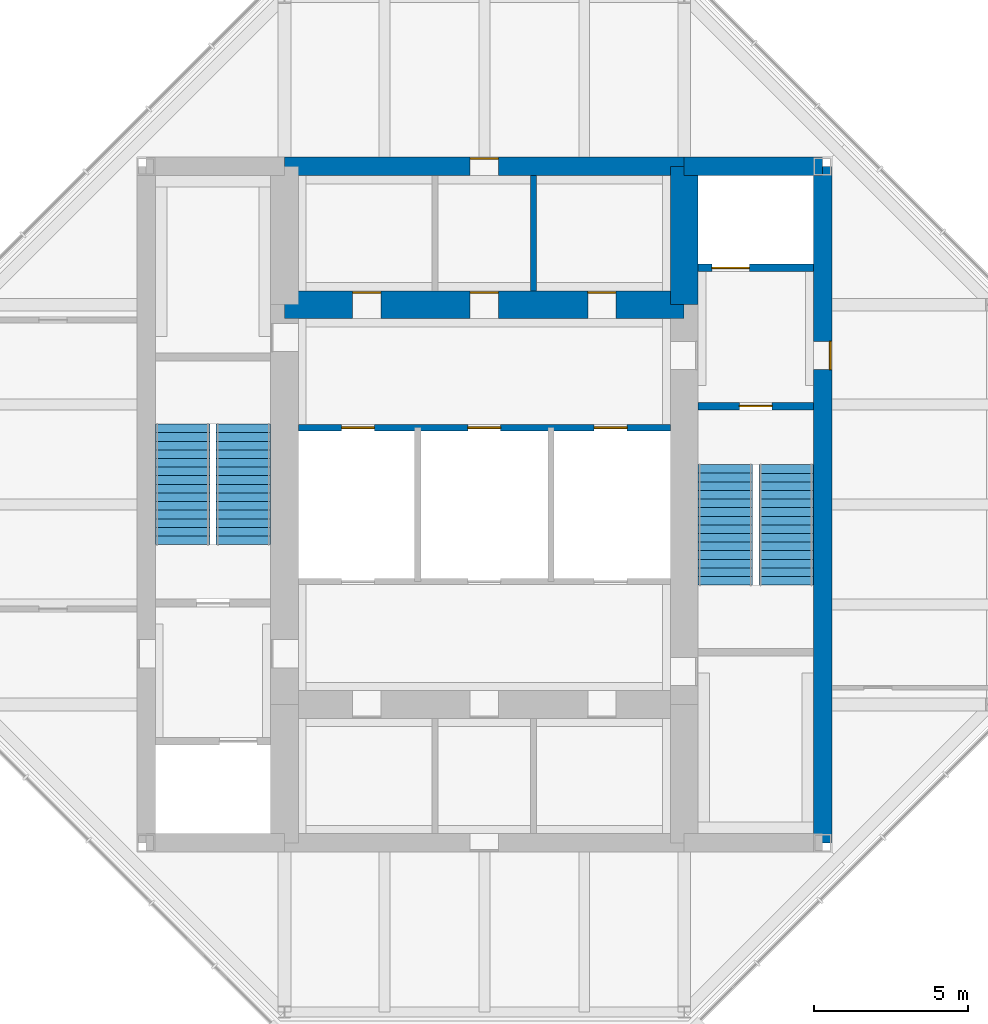
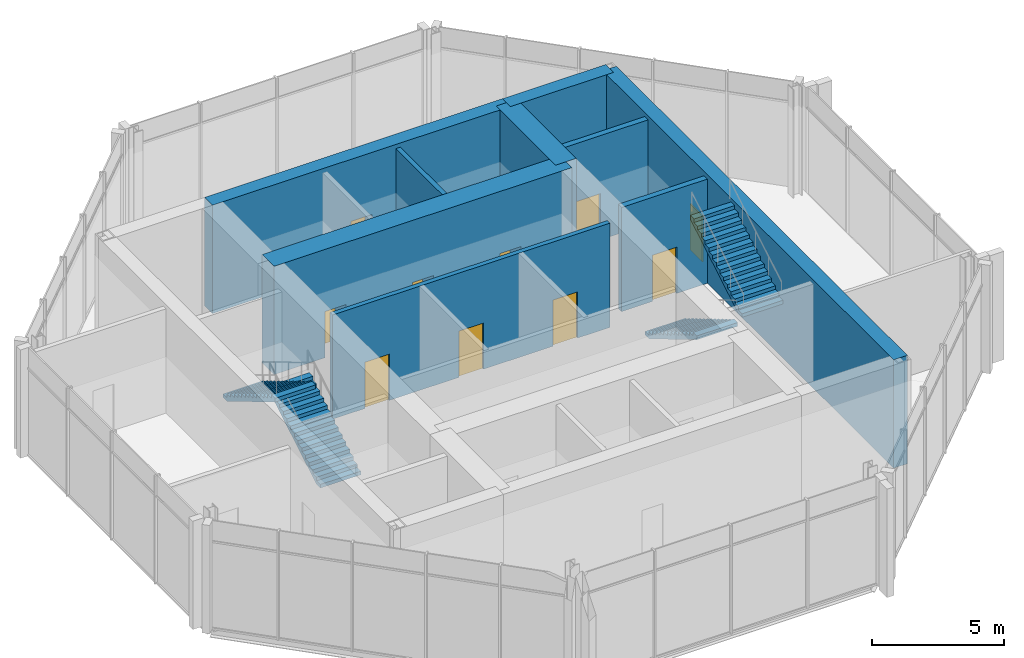
# One storey, part 6 of 7: 10 doors, 9 walls, 4 stair flights, 10 openings, 2 elements without a shape of their own.
"""IFC4 building model written with IfcOpenShell, lengths in metres."""

from ifc_helpers import new_model, si_unit, direction, frame, frame_2d, origin, place, context, subcontext, project, spatial, polyline, rectangle, outline, extrude, material, layer, layer_set, type_object, element, fill, aggregate, save


model = new_model("IFC4")

# Units and contexts
model_context = context("Model", 3, precision=1e-05, world=origin(), true_north=direction((0.0, 1.0)))
body_context = subcontext(model_context, "Body", "Model", "MODEL_VIEW")
ifc_project = project(units=[si_unit("LENGTHUNIT", "METRE"), si_unit("AREAUNIT", "SQUARE_METRE"), si_unit("VOLUMEUNIT", "CUBIC_METRE"), si_unit("PLANEANGLEUNIT", "RADIAN"), si_unit("MASSUNIT", "GRAM", prefix="KILO")], contexts=[model_context])

# Site, building, storey
site_placement = place(None, origin())
site = spatial("IfcSite", under=ifc_project, at=site_placement, CompositionType="ELEMENT")
building_placement = place(site_placement, origin())
building = spatial("IfcBuilding", under=site, at=building_placement, Name="Trevanion Tower", CompositionType="ELEMENT")
storey_placement = place(building_placement, frame((0.0, 0.0, 299.199951171875)))
storey = spatial("IfcBuildingStorey", under=building, at=storey_placement, Name="L74", CompositionType="ELEMENT", Elevation=299.199951171875)

# Wall, opening, door
ifc_material_1 = material(Name="Concrete 10,000 psi", Category="concrete")
ifc_layer_1 = layer(ifc_material_1, 0.60009765625)
ifc_layer_set_1 = layer_set([ifc_layer_1], Name="CW1 core wall 600")
wall_type_1 = type_object("IfcWallType", Name="CW1 core wall 600", PredefinedType="SHEAR", material=ifc_layer_set_1)
wall_1_placement = place(storey_placement, frame((11.0, -11.0, 0.0), z_axis=(0.0, 0.0, 1.0), x_axis=(0.0, 1.0, 0.0)))
wall_1 = element("IfcWall", 1, at=wall_1_placement, inside=storey, type_object=wall_type_1, Name="CW1 CE L74", PredefinedType="SHEAR", context=body_context, shape_type="SweptSolid", body=[
    extrude(rectangle(XDim=22.0, YDim=0.60009765625, at=frame_2d((11.0, 0.0))), origin(), (0.0, 0.0, 1.0), 5.0),
])
opening_1_placement = place(wall_1_placement, frame((15.392578125, 0.0, 0.0)))
opening_1 = element("IfcOpeningElement", 2, at=opening_1_placement, cuts=wall_1, Name="Opening 74-001", PredefinedType="OPENING", context=body_context, shape_type="SweptSolid", body=[
    extrude(rectangle(XDim=0.9150390625, YDim=2.134033203125, at=frame_2d((0.45751953125, 1.06689453125))), frame((0.0, 0.31005859375, 0.0), z_axis=(0.0, -1.0, 0.0), x_axis=(1.0, 0.0, 0.0)), (0.0, 0.0, 1.0), 0.6201171875),
])
ifc_material_2 = material(Name="Hollow metal, fire rated", Category="steel")
door_type_1 = type_object("IfcDoorType", Name="D3 fire lift lobby door", OperationType="SINGLE_SWING_RIGHT", PredefinedType="DOOR", material=ifc_material_2)
door_1_placement = place(opening_1_placement, origin())
door_1 = element("IfcDoor", 3, at=door_1_placement, inside=storey, type_object=door_type_1, Name="Door 74-001", OperationType="SINGLE_SWING_RIGHT", OverallHeight=2.134033203125, OverallWidth=0.9150390625, PredefinedType="DOOR", context=body_context, shape_type="SweptSolid", body=[
    extrude(rectangle(XDim=0.9150390625, YDim=2.134033203125, at=frame_2d((0.45751953125, 1.06689453125))), frame((0.0, -0.22509765625, 0.0), z_axis=(0.0, -1.0, 0.0), x_axis=(1.0, 0.0, 0.0)), (0.0, 0.0, 1.0), 0.050048828125),
])
fill(opening_1, door_1)

# Wall
wall_2_placement = place(storey_placement, frame((11.0, 11.0, 0.0), z_axis=(0.0, 0.0, 1.0), x_axis=(-1.0, 0.0, 0.0)))
element("IfcWall", 4, at=wall_2_placement, inside=storey, type_object=wall_type_1, Name="CW1 CN1 L74", PredefinedType="SHEAR", context=body_context, shape_type="SweptSolid", body=[
    extrude(rectangle(XDim=4.5, YDim=0.60009765625, at=frame_2d((2.25, 0.0))), origin(), (0.0, 0.0, 1.0), 5.0),
])

# Wall, opening, door
wall_3_placement = place(storey_placement, frame((6.5, 11.0, 0.0), z_axis=(0.0, 0.0, 1.0), x_axis=(-1.0, 0.0, 0.0)))
wall_3 = element("IfcWall", 5, at=wall_3_placement, inside=storey, type_object=wall_type_1, Name="CW1 CN2 L74", PredefinedType="SHEAR", context=body_context, shape_type="SweptSolid", body=[
    extrude(rectangle(XDim=13.0, YDim=0.60009765625, at=frame_2d((6.5, 0.0))), origin(), (0.0, 0.0, 1.0), 5.0),
])
opening_2_placement = place(wall_3_placement, frame((6.04248046875, 0.0, 0.0)))
opening_2 = element("IfcOpeningElement", 6, at=opening_2_placement, cuts=wall_3, Name="Opening 74-018", PredefinedType="OPENING", context=body_context, shape_type="SweptSolid", body=[
    extrude(rectangle(XDim=0.9150390625, YDim=2.134033203125, at=frame_2d((0.45751953125, 1.06689453125))), frame((0.0, 0.31005859375, 0.0), z_axis=(0.0, -1.0, 0.0), x_axis=(1.0, 0.0, 0.0)), (0.0, 0.0, 1.0), 0.6201171875),
])
door_2_placement = place(opening_2_placement, origin())
door_2 = element("IfcDoor", 7, at=door_2_placement, inside=storey, type_object=door_type_1, Name="Door 74-018", OperationType="SINGLE_SWING_RIGHT", OverallHeight=2.134033203125, OverallWidth=0.9150390625, PredefinedType="DOOR", context=body_context, shape_type="SweptSolid", body=[
    extrude(rectangle(XDim=0.9150390625, YDim=2.134033203125, at=frame_2d((0.45751953125, 1.06689453125))), frame((0.0, -0.22509765625, 0.0), z_axis=(0.0, -1.0, 0.0), x_axis=(1.0, 0.0, 0.0)), (0.0, 0.0, 1.0), 0.050048828125),
])
fill(opening_2, door_2)

# Wall
ifc_material_3 = material(Name="Concrete 10,000 psi", Category="concrete")
ifc_layer_2 = layer(ifc_material_3, 0.89990234375)
ifc_layer_set_2 = layer_set([ifc_layer_2], Name="CW2 core wall 900")
wall_type_2 = type_object("IfcWallType", Name="CW2 core wall 900", PredefinedType="SHEAR", material=ifc_layer_set_2)
wall_4_placement = place(storey_placement, frame((6.5, 6.5, 0.0), z_axis=(0.0, 0.0, 1.0), x_axis=(0.0, 1.0, 0.0)))
element("IfcWall", 8, at=wall_4_placement, inside=storey, type_object=wall_type_2, Name="CW2 RE3 L74", PredefinedType="SHEAR", context=body_context, shape_type="SweptSolid", body=[
    extrude(rectangle(XDim=4.5, YDim=0.89990234375, at=frame_2d((2.25, 0.0))), origin(), (0.0, 0.0, 1.0), 5.0),
])

# Wall, openings, doors
wall_5_placement = place(storey_placement, frame((6.5, 6.5, 0.0), z_axis=(0.0, 0.0, 1.0), x_axis=(-1.0, 0.0, 0.0)))
wall_5 = element("IfcWall", 9, at=wall_5_placement, inside=storey, type_object=wall_type_2, Name="CW2 RN L74", PredefinedType="SHEAR", context=body_context, shape_type="SweptSolid", body=[
    extrude(rectangle(XDim=13.0, YDim=0.89990234375, at=frame_2d((6.5, 0.0))), origin(), (0.0, 0.0, 1.0), 5.0),
])
opening_3_placement = place(wall_5_placement, frame((6.04248046875, 0.0, 0.0)))
opening_3 = element("IfcOpeningElement", 10, at=opening_3_placement, cuts=wall_5, Name="Opening 74-017", PredefinedType="OPENING", context=body_context, shape_type="SweptSolid", body=[
    extrude(rectangle(XDim=0.9150390625, YDim=2.134033203125, at=frame_2d((0.45751953125, 1.06689453125))), frame((0.0, 0.4599609375, 0.0), z_axis=(0.0, -1.0, 0.0), x_axis=(1.0, 0.0, 0.0)), (0.0, 0.0, 1.0), 0.919921875),
])
opening_4_placement = place(wall_5_placement, frame((9.867431640625, 0.0, 0.0)))
opening_4 = element("IfcOpeningElement", 11, at=opening_4_placement, cuts=wall_5, Name="Opening 74-019", PredefinedType="OPENING", context=body_context, shape_type="SweptSolid", body=[
    extrude(rectangle(XDim=0.9150390625, YDim=2.134033203125, at=frame_2d((0.45751953125, 1.06689453125))), frame((0.0, 0.4599609375, 0.0), z_axis=(0.0, -1.0, 0.0), x_axis=(1.0, 0.0, 0.0)), (0.0, 0.0, 1.0), 0.919921875),
])
opening_5_placement = place(wall_5_placement, frame((2.217529296875, 0.0, 0.0)))
opening_5 = element("IfcOpeningElement", 12, at=opening_5_placement, cuts=wall_5, Name="Opening 74-020", PredefinedType="OPENING", context=body_context, shape_type="SweptSolid", body=[
    extrude(rectangle(XDim=0.9150390625, YDim=2.134033203125, at=frame_2d((0.45751953125, 1.06689453125))), frame((0.0, 0.4599609375, 0.0), z_axis=(0.0, -1.0, 0.0), x_axis=(1.0, 0.0, 0.0)), (0.0, 0.0, 1.0), 0.919921875),
])
ifc_material_4 = material(Name="Hollow metal, fire rated", Category="steel")
door_type_2 = type_object("IfcDoorType", Name="D11 toilet door in a two hour wall", OperationType="SINGLE_SWING_LEFT", PredefinedType="DOOR", material=ifc_material_4)
door_3_placement = place(opening_4_placement, origin())
door_3 = element("IfcDoor", 13, at=door_3_placement, inside=storey, type_object=door_type_2, Name="Door 74-019", OperationType="SINGLE_SWING_LEFT", OverallHeight=2.134033203125, OverallWidth=0.9150390625, PredefinedType="DOOR", context=body_context, shape_type="SweptSolid", body=[
    extrude(rectangle(XDim=0.9150390625, YDim=2.134033203125, at=frame_2d((0.45751953125, 1.06689453125))), frame((0.0, -0.375, 0.0), z_axis=(0.0, -1.0, 0.0), x_axis=(1.0, 0.0, 0.0)), (0.0, 0.0, 1.0), 0.050048828125),
])
fill(opening_4, door_3)
door_4_placement = place(opening_5_placement, origin())
door_4 = element("IfcDoor", 14, at=door_4_placement, inside=storey, type_object=door_type_2, Name="Door 74-020", OperationType="SINGLE_SWING_LEFT", OverallHeight=2.134033203125, OverallWidth=0.9150390625, PredefinedType="DOOR", context=body_context, shape_type="SweptSolid", body=[
    extrude(rectangle(XDim=0.9150390625, YDim=2.134033203125, at=frame_2d((0.45751953125, 1.06689453125))), frame((0.0, -0.375, 0.0), z_axis=(0.0, -1.0, 0.0), x_axis=(1.0, 0.0, 0.0)), (0.0, 0.0, 1.0), 0.050048828125),
])
fill(opening_5, door_4)
door_5_placement = place(opening_3_placement, origin())
door_5 = element("IfcDoor", 15, at=door_5_placement, inside=storey, type_object=door_type_1, Name="Door 74-017", OperationType="SINGLE_SWING_RIGHT", OverallHeight=2.134033203125, OverallWidth=0.9150390625, PredefinedType="DOOR", context=body_context, shape_type="SweptSolid", body=[
    extrude(rectangle(XDim=0.9150390625, YDim=2.134033203125, at=frame_2d((0.45751953125, 1.06689453125))), frame((0.0, -0.375, 0.0), z_axis=(0.0, -1.0, 0.0), x_axis=(1.0, 0.0, 0.0)), (0.0, 0.0, 1.0), 0.050048828125),
])
fill(opening_3, door_5)

ifc_material_5 = material(Name="Concrete masonry, grouted", Category="masonry")
ifc_layer_3 = layer(ifc_material_5, 0.199951171875)
ifc_layer_set_3 = layer_set([ifc_layer_3], Name="PT2 partition 200 1 HR")
wall_type_3 = type_object("IfcWallType", Name="PT2 partition 200 1 HR", PredefinedType="PARTITIONING", material=ifc_layer_set_3)
wall_6_placement = place(storey_placement, frame((-6.050048828125, 2.5, 0.0), z_axis=(0.0, 0.0, 1.0), x_axis=(1.0, 0.0, 0.0)))
wall_6 = element("IfcWall", 16, at=wall_6_placement, inside=storey, type_object=wall_type_3, Name="PT2 L74 CP1", PredefinedType="PARTITIONING", context=body_context, shape_type="SweptSolid", body=[
    extrude(rectangle(XDim=12.10009765625, YDim=0.199951171875, at=frame_2d((6.050048828125, 0.0))), origin(), (0.0, 0.0, 1.0), 4.81005859375),
])
opening_6_placement = place(wall_6_placement, frame((1.408203125, 0.0, 0.0)))
opening_6 = element("IfcOpeningElement", 17, at=opening_6_placement, cuts=wall_6, Name="Opening 74-011", PredefinedType="OPENING", context=body_context, shape_type="SweptSolid", body=[
    extrude(rectangle(XDim=1.06689453125, YDim=2.134033203125, at=frame_2d((0.533447265625, 1.06689453125))), frame((0.0, 0.10986328125, 0.0), z_axis=(0.0, -1.0, 0.0), x_axis=(1.0, 0.0, 0.0)), (0.0, 0.0, 1.0), 0.219970703125),
])
opening_7_placement = place(wall_6_placement, frame((5.5166015625, 0.0, 0.0)))
opening_7 = element("IfcOpeningElement", 18, at=opening_7_placement, cuts=wall_6, Name="Opening 74-013", PredefinedType="OPENING", context=body_context, shape_type="SweptSolid", body=[
    extrude(rectangle(XDim=1.06689453125, YDim=2.134033203125, at=frame_2d((0.533447265625, 1.06689453125))), frame((0.0, 0.10986328125, 0.0), z_axis=(0.0, -1.0, 0.0), x_axis=(1.0, 0.0, 0.0)), (0.0, 0.0, 1.0), 0.219970703125),
])
opening_8_placement = place(wall_6_placement, frame((9.624755859375, 0.0, 0.0)))
opening_8 = element("IfcOpeningElement", 19, at=opening_8_placement, cuts=wall_6, Name="Opening 74-015", PredefinedType="OPENING", context=body_context, shape_type="SweptSolid", body=[
    extrude(rectangle(XDim=1.06689453125, YDim=2.134033203125, at=frame_2d((0.533447265625, 1.06689453125))), frame((0.0, 0.10986328125, 0.0), z_axis=(0.0, -1.0, 0.0), x_axis=(1.0, 0.0, 0.0)), (0.0, 0.0, 1.0), 0.219970703125),
])
ifc_material_6 = material(Name="Stainless steel, fire rated", Category="steel")
door_type_3 = type_object("IfcDoorType", Name="LD1 lift landing door", OperationType="SLIDING_TO_LEFT", PredefinedType="DOOR", material=ifc_material_6)
door_6_placement = place(opening_6_placement, origin())
door_6 = element("IfcDoor", 20, at=door_6_placement, inside=storey, type_object=door_type_3, Name="Door 74-011", OperationType="SLIDING_TO_LEFT", OverallHeight=2.134033203125, OverallWidth=1.06689453125, PredefinedType="DOOR", context=body_context, shape_type="SweptSolid", body=[
    extrude(rectangle(XDim=1.06689453125, YDim=2.134033203125, at=frame_2d((0.533447265625, 1.06689453125))), frame((0.0, 0.02490234375, 0.0), z_axis=(0.0, -1.0, 0.0), x_axis=(1.0, 0.0, 0.0)), (0.0, 0.0, 1.0), 0.050048828125),
])
fill(opening_6, door_6)
door_7_placement = place(opening_7_placement, origin())
door_7 = element("IfcDoor", 21, at=door_7_placement, inside=storey, type_object=door_type_3, Name="Door 74-013", OperationType="SLIDING_TO_LEFT", OverallHeight=2.134033203125, OverallWidth=1.06689453125, PredefinedType="DOOR", context=body_context, shape_type="SweptSolid", body=[
    extrude(rectangle(XDim=1.06689453125, YDim=2.134033203125, at=frame_2d((0.533447265625, 1.06689453125))), frame((0.0, 0.02490234375, 0.0), z_axis=(0.0, -1.0, 0.0), x_axis=(1.0, 0.0, 0.0)), (0.0, 0.0, 1.0), 0.050048828125),
])
fill(opening_7, door_7)
door_8_placement = place(opening_8_placement, origin())
door_8 = element("IfcDoor", 22, at=door_8_placement, inside=storey, type_object=door_type_3, Name="Door 74-015", OperationType="SLIDING_TO_LEFT", OverallHeight=2.134033203125, OverallWidth=1.06689453125, PredefinedType="DOOR", context=body_context, shape_type="SweptSolid", body=[
    extrude(rectangle(XDim=1.06689453125, YDim=2.134033203125, at=frame_2d((0.533447265625, 1.06689453125))), frame((0.0, 0.02490234375, 0.0), z_axis=(0.0, -1.0, 0.0), x_axis=(1.0, 0.0, 0.0)), (0.0, 0.0, 1.0), 0.050048828125),
])
fill(opening_8, door_8)

# Wall
wall_7_placement = place(storey_placement, frame((1.60009765625, 6.949951171875, 0.0), z_axis=(0.0, 0.0, 1.0), x_axis=(0.0, 1.0, 0.0)))
element("IfcWall", 23, at=wall_7_placement, inside=storey, type_object=wall_type_3, Name="PT2 L74 CNP2", PredefinedType="PARTITIONING", context=body_context, shape_type="SweptSolid", body=[
    extrude(rectangle(XDim=3.75, YDim=0.199951171875, at=frame_2d((1.875, 0.0))), origin(), (0.0, 0.0, 1.0), 4.81005859375),
])

# Wall, opening, door
ifc_material_7 = material(Name="Concrete masonry, grouted, two-hour", Category="masonry")
ifc_layer_4 = layer(ifc_material_7, 0.25)
ifc_layer_set_4 = layer_set([ifc_layer_4], Name="PT3 partition 250 2 HR")
wall_type_4 = type_object("IfcWallType", Name="PT3 partition 250 2 HR", PredefinedType="PARTITIONING", material=ifc_layer_set_4)
wall_8_placement = place(storey_placement, frame((6.949951171875, 7.699951171875, 0.0), z_axis=(0.0, 0.0, 1.0), x_axis=(1.0, 0.0, 0.0)))
wall_8 = element("IfcWall", 24, at=wall_8_placement, inside=storey, type_object=wall_type_4, Name="PT3 L74 EP3", PredefinedType="PARTITIONING", context=body_context, shape_type="SweptSolid", body=[
    extrude(rectangle(XDim=3.75, YDim=0.25, at=frame_2d((1.875, 0.0))), origin(), (0.0, 0.0, 1.0), 4.81005859375),
])
opening_9_placement = place(wall_8_placement, frame((0.449951171875, 0.0, 0.0)))
opening_9 = element("IfcOpeningElement", 25, at=opening_9_placement, cuts=wall_8, Name="Opening 74-007", PredefinedType="OPENING", context=body_context, shape_type="SweptSolid", body=[
    extrude(rectangle(XDim=1.218994140625, YDim=2.134033203125, at=frame_2d((0.609375, 1.06689453125))), frame((0.0, 0.135009765625, 0.0), z_axis=(0.0, -1.0, 0.0), x_axis=(1.0, 0.0, 0.0)), (0.0, 0.0, 1.0), 0.27001953125),
])
ifc_material_8 = material(Name="Stainless steel, fire rated", Category="steel")
door_type_4 = type_object("IfcDoorType", Name="LD2 fire service lift landing door", OperationType="SLIDING_TO_LEFT", PredefinedType="DOOR", material=ifc_material_8)
door_9_placement = place(opening_9_placement, origin())
door_9 = element("IfcDoor", 26, at=door_9_placement, inside=storey, type_object=door_type_4, Name="Door 74-007", OperationType="SLIDING_TO_LEFT", OverallHeight=2.134033203125, OverallWidth=1.218994140625, PredefinedType="DOOR", context=body_context, shape_type="SweptSolid", body=[
    extrude(rectangle(XDim=1.218994140625, YDim=2.134033203125, at=frame_2d((0.609375, 1.06689453125))), frame((0.0, 0.02490234375, 0.0), z_axis=(0.0, -1.0, 0.0), x_axis=(1.0, 0.0, 0.0)), (0.0, 0.0, 1.0), 0.050048828125),
])
fill(opening_9, door_9)

ifc_material_9 = material(Name="Reinforced masonry, fully grouted", Category="masonry")
ifc_layer_5 = layer(ifc_material_9, 0.25)
ifc_layer_set_5 = layer_set([ifc_layer_5], Name="SW1 stair shaft wall 250")
wall_type_5 = type_object("IfcWallType", Name="SW1 stair shaft wall 250", PredefinedType="SOLIDWALL", material=ifc_layer_set_5)
wall_9_placement = place(storey_placement, frame((6.949951171875, 3.199951171875, 0.0), z_axis=(0.0, 0.0, 1.0), x_axis=(1.0, 0.0, 0.0)))
wall_9 = element("IfcWall", 27, at=wall_9_placement, inside=storey, type_object=wall_type_5, Name="SW1 L74 EP2", PredefinedType="SOLIDWALL", context=body_context, shape_type="SweptSolid", body=[
    extrude(rectangle(XDim=3.75, YDim=0.25, at=frame_2d((1.875, 0.0))), origin(), (0.0, 0.0, 1.0), 4.81005859375),
])
opening_10_placement = place(wall_9_placement, frame((1.341552734375, 0.0, 0.0)))
opening_10 = element("IfcOpeningElement", 28, at=opening_10_placement, cuts=wall_9, Name="Opening 74-005", PredefinedType="OPENING", context=body_context, shape_type="SweptSolid", body=[
    extrude(rectangle(XDim=1.06689453125, YDim=2.134033203125, at=frame_2d((0.533447265625, 1.06689453125))), frame((0.0, 0.135009765625, 0.0), z_axis=(0.0, -1.0, 0.0), x_axis=(1.0, 0.0, 0.0)), (0.0, 0.0, 1.0), 0.27001953125),
])
ifc_material_10 = material(Name="Hollow metal, fire rated", Category="steel")
door_type_5 = type_object("IfcDoorType", Name="D2 exit stair door", OperationType="SINGLE_SWING_LEFT", PredefinedType="DOOR", material=ifc_material_10)
door_10_placement = place(opening_10_placement, origin())
door_10 = element("IfcDoor", 29, at=door_10_placement, inside=storey, type_object=door_type_5, Name="Door 74-005", OperationType="SINGLE_SWING_LEFT", OverallHeight=2.134033203125, OverallWidth=1.06689453125, PredefinedType="DOOR", context=body_context, shape_type="SweptSolid", body=[
    extrude(rectangle(XDim=1.06689453125, YDim=2.134033203125, at=frame_2d((0.533447265625, 1.06689453125))), frame((0.0, 0.02490234375, 0.0), z_axis=(0.0, -1.0, 0.0), x_axis=(1.0, 0.0, 0.0)), (0.0, 0.0, 1.0), 0.050048828125),
])
fill(opening_10, door_10)

# Stair, stair flights
ifc_material_11 = material(Name="Concrete 5,000 psi on steel stringers", Category="concrete")
stair_type = type_object("IfcStairType", Name="ST stair", PredefinedType="HALF_TURN_STAIR", material=ifc_material_11)
stair_1_placement = place(storey_placement, origin())
stair_1 = element("IfcStair", 30, at=stair_1_placement, inside=storey, type_object=stair_type, Name="ST1 L74", PredefinedType="HALF_TURN_STAIR")
ifc_material_12 = material(Name="Concrete 5,000 psi in steel pan", Category="concrete")
stair_flight_type = type_object("IfcStairFlightType", Name="STF stair flight", PredefinedType="STRAIGHT", material=ifc_material_12)
stair_flight_1_placement = place(storey_placement, frame((7.83740234375, 1.300048828125, 0.0), z_axis=(0.0, 0.0, 1.0), x_axis=(0.0, -1.0, 0.0)))
stair_flight_1 = element("IfcStairFlight", 31, at=stair_flight_1_placement, type_object=stair_flight_type, Name="ST1 flight 1", NumberOfRisers=15, NumberOfTreads=14, PredefinedType="STRAIGHT", RiserHeight=0.166666667, TreadLength=0.28, context=body_context, shape_type="SweptSolid", body=[
    extrude(outline(polyline([(0.0, 0.0), (0.0, 0.166748046875), (0.280029296875, 0.166748046875), (0.280029296875, 0.333251953125), (0.56005859375, 0.333251953125), (0.56005859375, 0.5), (0.840087890625, 0.5), (0.840087890625, 0.666748046875), (1.1201171875, 0.666748046875), (1.1201171875, 0.833251953125), (1.39990234375, 0.833251953125), (1.39990234375, 1.0), (1.679931640625, 1.0), (1.679931640625, 1.166748046875), (1.9599609375, 1.166748046875), (1.9599609375, 1.333251953125), (2.239990234375, 1.333251953125), (2.239990234375, 1.5), (2.52001953125, 1.5), (2.52001953125, 1.666748046875), (2.800048828125, 1.666748046875), (2.800048828125, 1.833251953125), (3.080078125, 1.833251953125), (3.080078125, 2.0), (3.360107421875, 2.0), (3.360107421875, 2.166748046875), (3.639892578125, 2.166748046875), (3.639892578125, 2.333251953125), (3.919921875, 2.333251953125), (3.919921875, 2.5), (3.919921875, 2.158935546875), (0.29296875, 0.0), (0.0, 0.0)])), frame((0.0, 0.887451171875, 0.0), z_axis=(0.0, -1.0, 0.0), x_axis=(1.0, 0.0, 0.0)), (0.0, 0.0, 1.0), 1.77490234375),
])
stair_flight_2_placement = place(storey_placement, frame((9.8125, -2.6201171875, 2.5), z_axis=(0.0, 0.0, 1.0), x_axis=(0.0, 1.0, 0.0)))
stair_flight_2 = element("IfcStairFlight", 32, at=stair_flight_2_placement, type_object=stair_flight_type, Name="ST1 flight 2", NumberOfRisers=15, NumberOfTreads=14, PredefinedType="STRAIGHT", RiserHeight=0.166666667, TreadLength=0.28, context=body_context, shape_type="SweptSolid", body=[
    extrude(outline(polyline([(0.0, 0.0), (0.0, 0.166748046875), (0.280029296875, 0.166748046875), (0.280029296875, 0.333251953125), (0.56005859375, 0.333251953125), (0.56005859375, 0.5), (0.840087890625, 0.5), (0.840087890625, 0.666748046875), (1.1201171875, 0.666748046875), (1.1201171875, 0.833251953125), (1.39990234375, 0.833251953125), (1.39990234375, 1.0), (1.679931640625, 1.0), (1.679931640625, 1.166748046875), (1.9599609375, 1.166748046875), (1.9599609375, 1.333251953125), (2.239990234375, 1.333251953125), (2.239990234375, 1.5), (2.52001953125, 1.5), (2.52001953125, 1.666748046875), (2.800048828125, 1.666748046875), (2.800048828125, 1.833251953125), (3.080078125, 1.833251953125), (3.080078125, 2.0), (3.360107421875, 2.0), (3.360107421875, 2.166748046875), (3.639892578125, 2.166748046875), (3.639892578125, 2.333251953125), (3.919921875, 2.333251953125), (3.919921875, 2.5), (3.919921875, 2.158935546875), (0.29296875, 0.0), (0.0, 0.0)])), frame((0.0, 0.887451171875, 0.0), z_axis=(0.0, -1.0, 0.0), x_axis=(1.0, 0.0, 0.0)), (0.0, 0.0, 1.0), 1.77490234375),
])
aggregate(stair_1, [stair_flight_1, stair_flight_2])

stair_2_placement = place(storey_placement, origin())
stair_2 = element("IfcStair", 33, at=stair_2_placement, inside=storey, type_object=stair_type, Name="ST2 L74", PredefinedType="HALF_TURN_STAIR")
stair_flight_3_placement = place(storey_placement, frame((-7.83740234375, -1.300048828125, 0.0), z_axis=(0.0, 0.0, 1.0), x_axis=(0.0, 1.0, 0.0)))
stair_flight_3 = element("IfcStairFlight", 34, at=stair_flight_3_placement, type_object=stair_flight_type, Name="ST2 flight 1", NumberOfRisers=15, NumberOfTreads=14, PredefinedType="STRAIGHT", RiserHeight=0.166666667, TreadLength=0.28, context=body_context, shape_type="SweptSolid", body=[
    extrude(outline(polyline([(0.0, 0.0), (0.0, 0.166748046875), (0.280029296875, 0.166748046875), (0.280029296875, 0.333251953125), (0.56005859375, 0.333251953125), (0.56005859375, 0.5), (0.840087890625, 0.5), (0.840087890625, 0.666748046875), (1.1201171875, 0.666748046875), (1.1201171875, 0.833251953125), (1.39990234375, 0.833251953125), (1.39990234375, 1.0), (1.679931640625, 1.0), (1.679931640625, 1.166748046875), (1.9599609375, 1.166748046875), (1.9599609375, 1.333251953125), (2.239990234375, 1.333251953125), (2.239990234375, 1.5), (2.52001953125, 1.5), (2.52001953125, 1.666748046875), (2.800048828125, 1.666748046875), (2.800048828125, 1.833251953125), (3.080078125, 1.833251953125), (3.080078125, 2.0), (3.360107421875, 2.0), (3.360107421875, 2.166748046875), (3.639892578125, 2.166748046875), (3.639892578125, 2.333251953125), (3.919921875, 2.333251953125), (3.919921875, 2.5), (3.919921875, 2.158935546875), (0.29296875, 0.0), (0.0, 0.0)])), frame((0.0, 0.887451171875, 0.0), z_axis=(0.0, -1.0, 0.0), x_axis=(1.0, 0.0, 0.0)), (0.0, 0.0, 1.0), 1.77490234375),
])
stair_flight_4_placement = place(storey_placement, frame((-9.8125, 2.6201171875, 2.5), z_axis=(0.0, 0.0, 1.0), x_axis=(0.0, -1.0, 0.0)))
stair_flight_4 = element("IfcStairFlight", 35, at=stair_flight_4_placement, type_object=stair_flight_type, Name="ST2 flight 2", NumberOfRisers=15, NumberOfTreads=14, PredefinedType="STRAIGHT", RiserHeight=0.166666667, TreadLength=0.28, context=body_context, shape_type="SweptSolid", body=[
    extrude(outline(polyline([(0.0, 0.0), (0.0, 0.166748046875), (0.280029296875, 0.166748046875), (0.280029296875, 0.333251953125), (0.56005859375, 0.333251953125), (0.56005859375, 0.5), (0.840087890625, 0.5), (0.840087890625, 0.666748046875), (1.1201171875, 0.666748046875), (1.1201171875, 0.833251953125), (1.39990234375, 0.833251953125), (1.39990234375, 1.0), (1.679931640625, 1.0), (1.679931640625, 1.166748046875), (1.9599609375, 1.166748046875), (1.9599609375, 1.333251953125), (2.239990234375, 1.333251953125), (2.239990234375, 1.5), (2.52001953125, 1.5), (2.52001953125, 1.666748046875), (2.800048828125, 1.666748046875), (2.800048828125, 1.833251953125), (3.080078125, 1.833251953125), (3.080078125, 2.0), (3.360107421875, 2.0), (3.360107421875, 2.166748046875), (3.639892578125, 2.166748046875), (3.639892578125, 2.333251953125), (3.919921875, 2.333251953125), (3.919921875, 2.5), (3.919921875, 2.158935546875), (0.29296875, 0.0), (0.0, 0.0)])), frame((0.0, 0.887451171875, 0.0), z_axis=(0.0, -1.0, 0.0), x_axis=(1.0, 0.0, 0.0)), (0.0, 0.0, 1.0), 1.77490234375),
])
aggregate(stair_2, [stair_flight_3, stair_flight_4])

save(model, "model.ifc")
